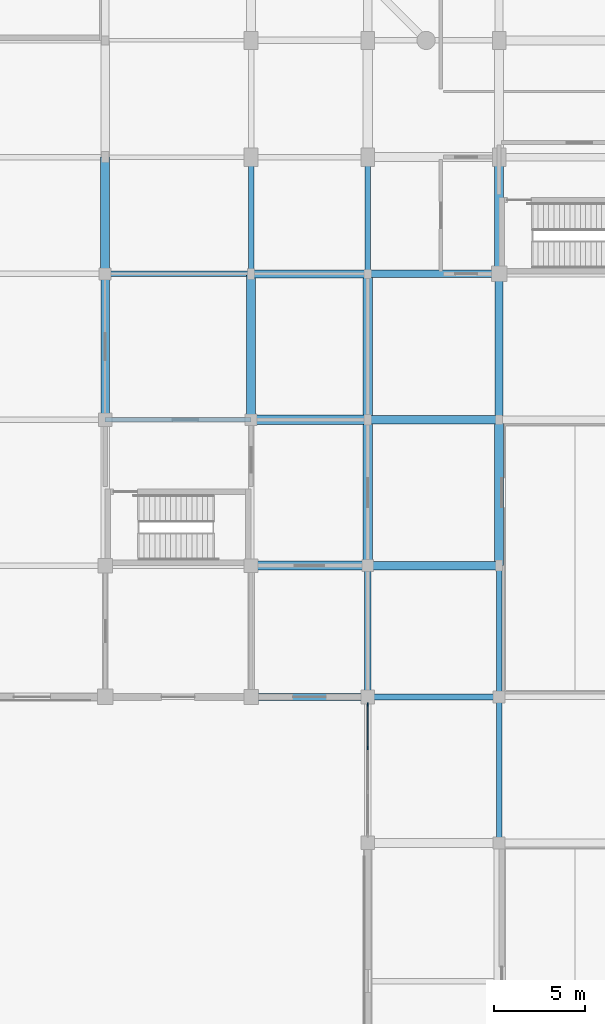
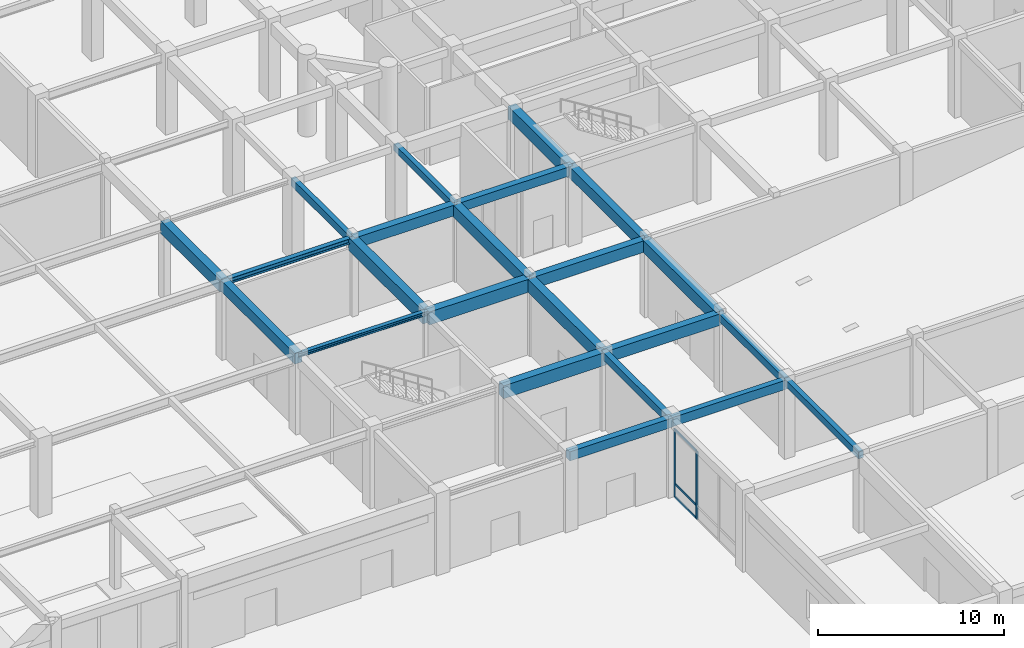
# One storey, part 12 of 40: 23 beams, 5 members, 1 element without a shape of its own.
"""IFC4 building model written with IfcOpenShell, lengths in metres."""

from ifc_helpers import new_model, si_unit, direction, frame, origin, origin_2d, place, context, subcontext, project, spatial, rectangle, i_section, extrude, material, material_profile, profile_set, type_object, element, aggregate, save


model = new_model("IFC4")

# Units and contexts
model_context = context("Model", 3, precision=1e-05, world=origin(), true_north=direction((0.0, 1.0)))
body_context = subcontext(model_context, "Body", "Model", "MODEL_VIEW")
ifc_project = project(units=[si_unit("LENGTHUNIT", "METRE"), si_unit("AREAUNIT", "SQUARE_METRE"), si_unit("VOLUMEUNIT", "CUBIC_METRE"), si_unit("PLANEANGLEUNIT", "RADIAN"), si_unit("MASSUNIT", "GRAM", prefix="KILO")], contexts=[model_context])

# Site, building, storey
site_placement = place(None, origin())
site = spatial("IfcSite", under=ifc_project, at=site_placement, CompositionType="ELEMENT")
building_placement = place(site_placement, origin())
building = spatial("IfcBuilding", under=site, at=building_placement, Name="Vellmiral Cinema and Media Centre", CompositionType="ELEMENT")
storey_placement = place(building_placement, origin())
storey = spatial("IfcBuildingStorey", under=building, at=storey_placement, Name="L00", CompositionType="ELEMENT", Elevation=0.0)

# Beams
ifc_material_1 = material(Name="Concrete C40/50", Category="concrete")
ifc_material_profile_1 = material_profile(ifc_material_1, rectangle(XDim=0.300048828125, YDim=0.449951171875, at=origin_2d()), Name="RC 300x450")
ifc_profile_set_1 = profile_set([ifc_material_profile_1], Name="Concrete C40/50")
beam_type_1 = type_object("IfcBeamType", Name="BM-RC-300x450", PredefinedType="BEAM", material=ifc_profile_set_1)
beam_1_placement = place(storey_placement, frame((116.800048828125, 59.199951171875, 4.85009765625), z_axis=(0.0, 1.0, 0.0), x_axis=(-1.0, 0.0, 0.0)))
element("IfcBeam", 1, at=beam_1_placement, inside=storey, type_object=beam_type_1, Name="Grid Beam L00-Y305", PredefinedType="BEAM", context=body_context, shape_type="SweptSolid", body=[
    extrude(rectangle(XDim=0.300048828125, YDim=0.449951171875, at=origin_2d()), origin(), (0.0, 0.0, 1.0), 6.400146484375),
])
beam_2_placement = place(storey_placement, frame((124.0, 28.0, 4.85009765625), z_axis=(0.0, 1.0, 0.0), x_axis=(-1.0, 0.0, 0.0)))
element("IfcBeam", 2, at=beam_2_placement, inside=storey, type_object=beam_type_1, Name="Grid Beam L00-Y313", PredefinedType="BEAM", context=body_context, shape_type="SweptSolid", body=[
    extrude(rectangle(XDim=0.300048828125, YDim=0.449951171875, at=origin_2d()), origin(), (0.0, 0.0, 1.0), 8.0),
])
ifc_material_2 = material(Name="Concrete C40/50", Category="concrete")
ifc_material_profile_2 = material_profile(ifc_material_2, rectangle(XDim=0.300048828125, YDim=0.5, at=origin_2d()), Name="RC 300x500")
ifc_profile_set_2 = profile_set([ifc_material_profile_2], Name="Concrete C40/50")
beam_type_2 = type_object("IfcBeamType", Name="BM-RC-300x500", PredefinedType="BEAM", material=ifc_profile_set_2)
beam_3_placement = place(storey_placement, frame((110.39990234375, 59.199951171875, 4.824951171875), z_axis=(0.0, 1.0, 0.0), x_axis=(-1.0, 0.0, 0.0)))
element("IfcBeam", 3, at=beam_3_placement, inside=storey, type_object=beam_type_2, Name="Grid Beam L00-Y293", PredefinedType="BEAM", context=body_context, shape_type="SweptSolid", body=[
    extrude(rectangle(XDim=0.300048828125, YDim=0.5, at=origin_2d()), origin(), (0.0, 0.0, 1.0), 6.400146484375),
])
beam_4_placement = place(storey_placement, frame((124.0, 36.0, 4.824951171875), z_axis=(0.0, 1.0, 0.0), x_axis=(-1.0, 0.0, 0.0)))
element("IfcBeam", 4, at=beam_4_placement, inside=storey, type_object=beam_type_2, Name="Grid Beam L00-Y314", PredefinedType="BEAM", context=body_context, shape_type="SweptSolid", body=[
    extrude(rectangle(XDim=0.300048828125, YDim=0.5, at=origin_2d()), origin(), (0.0, 0.0, 1.0), 7.199951171875),
])
ifc_material_3 = material(Name="Concrete C40/50", Category="concrete")
ifc_material_profile_3 = material_profile(ifc_material_3, rectangle(XDim=0.35009765625, YDim=0.5, at=origin_2d()), Name="RC 350x500")
ifc_profile_set_3 = profile_set([ifc_material_profile_3], Name="Concrete C40/50")
beam_type_3 = type_object("IfcBeamType", Name="BM-RC-350x500", PredefinedType="BEAM", material=ifc_profile_set_3)
beam_5_placement = place(storey_placement, frame((116.800048828125, 36.0, 4.824951171875), z_axis=(0.0, 1.0, 0.0), x_axis=(-1.0, 0.0, 0.0)))
element("IfcBeam", 5, at=beam_5_placement, inside=storey, type_object=beam_type_3, Name="Grid Beam L00-Y302", PredefinedType="BEAM", context=body_context, shape_type="SweptSolid", body=[
    extrude(rectangle(XDim=0.35009765625, YDim=0.5, at=origin_2d()), origin(), (0.0, 0.0, 1.0), 7.199951171875),
])
ifc_material_4 = material(Name="Concrete C40/50", Category="concrete")
ifc_material_profile_4 = material_profile(ifc_material_4, rectangle(XDim=0.35009765625, YDim=0.60009765625, at=origin_2d()), Name="RC 350x600")
ifc_profile_set_4 = profile_set([ifc_material_profile_4], Name="Concrete C40/50")
beam_type_4 = type_object("IfcBeamType", Name="BM-RC-350x600", PredefinedType="BEAM", material=ifc_profile_set_4)
beam_6_placement = place(storey_placement, frame((116.800048828125, 36.0, 4.77490234375), z_axis=(1.0, 0.0, 0.0), x_axis=(0.0, 1.0, 0.0)))
element("IfcBeam", 6, at=beam_6_placement, inside=storey, type_object=beam_type_4, Name="Grid Beam L00-X036", PredefinedType="BEAM", context=body_context, shape_type="SweptSolid", body=[
    extrude(rectangle(XDim=0.35009765625, YDim=0.60009765625, at=origin_2d()), origin(), (0.0, 0.0, 1.0), 7.199951171875),
])
ifc_material_5 = material(Name="Concrete C40/50", Category="concrete")
ifc_material_profile_5 = material_profile(ifc_material_5, rectangle(XDim=0.39990234375, YDim=0.60009765625, at=origin_2d()), Name="RC 400x600")
ifc_profile_set_5 = profile_set([ifc_material_profile_5], Name="Concrete C40/50")
beam_type_5 = type_object("IfcBeamType", Name="BM-RC-400x600", PredefinedType="BEAM", material=ifc_profile_set_5)
beam_7_placement = place(storey_placement, frame((116.800048828125, 59.199951171875, 4.77490234375), z_axis=(1.0, 0.0, 0.0), x_axis=(0.0, 1.0, 0.0)))
element("IfcBeam", 7, at=beam_7_placement, inside=storey, type_object=beam_type_5, Name="Grid Beam L00-X079", PredefinedType="BEAM", context=body_context, shape_type="SweptSolid", body=[
    extrude(rectangle(XDim=0.39990234375, YDim=0.60009765625, at=origin_2d()), origin(), (0.0, 0.0, 1.0), 7.199951171875),
])
ifc_material_6 = material(Name="Concrete C40/50", Category="concrete")
ifc_material_profile_6 = material_profile(ifc_material_6, rectangle(XDim=0.449951171875, YDim=0.699951171875, at=origin_2d()), Name="RC 450x700")
ifc_profile_set_6 = profile_set([ifc_material_profile_6], Name="Concrete C40/50")
beam_type_6 = type_object("IfcBeamType", Name="BM-RC-450x700", PredefinedType="BEAM", material=ifc_profile_set_6)
beam_8_placement = place(storey_placement, frame((110.39990234375, 59.199951171875, 4.72509765625), z_axis=(1.0, 0.0, 0.0), x_axis=(0.0, 1.0, 0.0)))
element("IfcBeam", 8, at=beam_8_placement, inside=storey, type_object=beam_type_6, Name="Grid Beam L00-X078", PredefinedType="BEAM", context=body_context, shape_type="SweptSolid", body=[
    extrude(rectangle(XDim=0.449951171875, YDim=0.699951171875, at=origin_2d()), origin(), (0.0, 0.0, 1.0), 6.400146484375),
])
beam_9_placement = place(storey_placement, frame((102.39990234375, 51.199951171875, 4.72509765625), z_axis=(0.0, 1.0, 0.0), x_axis=(-1.0, 0.0, 0.0)))
element("IfcBeam", 9, at=beam_9_placement, inside=storey, type_object=beam_type_6, Name="Grid Beam L00-Y284", PredefinedType="BEAM", context=body_context, shape_type="SweptSolid", body=[
    extrude(rectangle(XDim=0.449951171875, YDim=0.699951171875, at=origin_2d()), origin(), (0.0, 0.0, 1.0), 8.0),
])
ifc_material_7 = material(Name="Concrete C40/50", Category="concrete")
ifc_material_profile_7 = material_profile(ifc_material_7, rectangle(XDim=0.449951171875, YDim=0.75, at=origin_2d()), Name="RC 450x750")
ifc_profile_set_7 = profile_set([ifc_material_profile_7], Name="Concrete C40/50")
beam_type_7 = type_object("IfcBeamType", Name="BM-RC-450x750", PredefinedType="BEAM", material=ifc_profile_set_7)
for number, where, z_axis, x_axis, name in (
    (10, (116.800048828125, 43.199951171875, 4.699951171875), (1.0, 0.0, 0.0), (0.0, 1.0, 0.0), "Grid Beam L00-X054"),
    (11, (116.800048828125, 51.199951171875, 4.699951171875), (1.0, 0.0, 0.0), (0.0, 1.0, 0.0), "Grid Beam L00-X065"),
):
    element("IfcBeam", number, at=place(storey_placement, frame(where, z_axis=z_axis, x_axis=x_axis)), inside=storey, type_object=beam_type_7, Name=name, PredefinedType="BEAM", context=body_context, shape_type="SweptSolid", body=[
        extrude(rectangle(XDim=0.449951171875, YDim=0.75, at=origin_2d()), origin(), (0.0, 0.0, 1.0), 7.199951171875),
    ])
beam_10_placement = place(storey_placement, frame((124.0, 51.199951171875, 4.699951171875), z_axis=(0.0, 1.0, 0.0), x_axis=(-1.0, 0.0, 0.0)))
element("IfcBeam", 12, at=beam_10_placement, inside=storey, type_object=beam_type_7, Name="Grid Beam L00-Y316", PredefinedType="BEAM", context=body_context, shape_type="SweptSolid", body=[
    extrude(rectangle(XDim=0.449951171875, YDim=0.75, at=origin_2d()), origin(), (0.0, 0.0, 1.0), 8.0),
])
ifc_material_8 = material(Name="Concrete C40/50", Category="concrete")
ifc_material_profile_8 = material_profile(ifc_material_8, rectangle(XDim=0.5, YDim=0.800048828125, at=origin_2d()), Name="RC 500x800")
ifc_profile_set_8 = profile_set([ifc_material_profile_8], Name="Concrete C40/50")
beam_type_8 = type_object("IfcBeamType", Name="BM-RC-500x800", PredefinedType="BEAM", material=ifc_profile_set_8)
beam_11_placement = place(storey_placement, frame((102.39990234375, 59.199951171875, 4.675048828125), z_axis=(0.0, 1.0, 0.0), x_axis=(-1.0, 0.0, 0.0)))
element("IfcBeam", 13, at=beam_11_placement, inside=storey, type_object=beam_type_8, Name="Grid Beam L00-Y285", PredefinedType="BEAM", context=body_context, shape_type="SweptSolid", body=[
    extrude(rectangle(XDim=0.5, YDim=0.800048828125, at=origin_2d()), origin(), (0.0, 0.0, 1.0), 6.400146484375),
])
for number, where, z_axis, x_axis, name in (
    (14, (116.800048828125, 51.199951171875, 4.675048828125), (0.0, 1.0, 0.0), (-1.0, 0.0, 0.0), "Grid Beam L00-Y304"),
    (15, (124.0, 43.199951171875, 4.675048828125), (0.0, 1.0, 0.0), (-1.0, 0.0, 0.0), "Grid Beam L00-Y315"),
):
    element("IfcBeam", number, at=place(storey_placement, frame(where, z_axis=z_axis, x_axis=x_axis)), inside=storey, type_object=beam_type_8, Name=name, PredefinedType="BEAM", context=body_context, shape_type="SweptSolid", body=[
        extrude(rectangle(XDim=0.5, YDim=0.800048828125, at=origin_2d()), origin(), (0.0, 0.0, 1.0), 8.0),
    ])
ifc_material_9 = material(Name="Concrete C40/50", Category="concrete")
ifc_material_profile_9 = material_profile(ifc_material_9, rectangle(XDim=0.5, YDim=0.85009765625, at=origin_2d()), Name="RC 500x850")
ifc_profile_set_9 = profile_set([ifc_material_profile_9], Name="Concrete C40/50")
beam_type_9 = type_object("IfcBeamType", Name="BM-RC-500x850", PredefinedType="BEAM", material=ifc_profile_set_9)
for number, where, z_axis, x_axis, name in (
    (16, (110.39990234375, 43.199951171875, 4.64990234375), (1.0, 0.0, 0.0), (0.0, 1.0, 0.0), "Grid Beam L00-X053"),
    (17, (110.39990234375, 51.199951171875, 4.64990234375), (1.0, 0.0, 0.0), (0.0, 1.0, 0.0), "Grid Beam L00-X064"),
):
    element("IfcBeam", number, at=place(storey_placement, frame(where, z_axis=z_axis, x_axis=x_axis)), inside=storey, type_object=beam_type_9, Name=name, PredefinedType="BEAM", context=body_context, shape_type="SweptSolid", body=[
        extrude(rectangle(XDim=0.5, YDim=0.85009765625, at=origin_2d()), origin(), (0.0, 0.0, 1.0), 6.400146484375),
    ])
for number, where, z_axis, x_axis, name in (
    (18, (110.39990234375, 51.199951171875, 4.64990234375), (0.0, 1.0, 0.0), (-1.0, 0.0, 0.0), "Grid Beam L00-Y292"),
    (19, (116.800048828125, 43.199951171875, 4.64990234375), (0.0, 1.0, 0.0), (-1.0, 0.0, 0.0), "Grid Beam L00-Y303"),
):
    element("IfcBeam", number, at=place(storey_placement, frame(where, z_axis=z_axis, x_axis=x_axis)), inside=storey, type_object=beam_type_9, Name=name, PredefinedType="BEAM", context=body_context, shape_type="SweptSolid", body=[
        extrude(rectangle(XDim=0.5, YDim=0.85009765625, at=origin_2d()), origin(), (0.0, 0.0, 1.0), 8.0),
    ])
beam_12_placement = place(storey_placement, frame((124.0, 59.199951171875, 4.64990234375), z_axis=(0.0, 1.0, 0.0), x_axis=(-1.0, 0.0, 0.0)))
element("IfcBeam", 20, at=beam_12_placement, inside=storey, type_object=beam_type_9, Name="Grid Beam L00-Y317", PredefinedType="BEAM", context=body_context, shape_type="SweptSolid", body=[
    extrude(rectangle(XDim=0.5, YDim=0.85009765625, at=origin_2d()), origin(), (0.0, 0.0, 1.0), 6.400146484375),
])

# Curtain wall, members
ifc_material_10 = material(Name="Thermally Broken Aluminium and Triple Glazing", Category="aluminium")
curtain_wall_type = type_object("IfcCurtainWallType", Name="CW-POD-GALLERY", PredefinedType="USERDEFINED", material=ifc_material_10)
curtain_wall_placement = place(storey_placement, origin())
curtain_wall = element("IfcCurtainWall", 21, at=curtain_wall_placement, inside=storey, type_object=curtain_wall_type, Name="Curtain Wall L00-B019", ObjectType="STICK CURTAIN WALL", PredefinedType="USERDEFINED")
ifc_material_11 = material(Name="Thermally Broken Anodised Aluminium", Category="aluminium")
ifc_material_profile_10 = material_profile(ifc_material_11, rectangle(XDim=0.070068359375, YDim=0.179931640625, at=origin_2d()), Name="MULL 70x180")
ifc_profile_set_10 = profile_set([ifc_material_profile_10], Name="Thermally Broken Anodised Aluminium")
member_type_1 = type_object("IfcMemberType", Name="CWM-70x180", PredefinedType="MULLION", material=ifc_profile_set_10)
member_1_placement = place(storey_placement, frame((116.800048828125, 35.590087890625, 0.0), z_axis=(0.0, 0.0, 1.0), x_axis=(1.0, 0.0, 0.0)))
member_1 = element("IfcMember", 22, at=member_1_placement, type_object=member_type_1, Name="CW-04 mullion 1", PredefinedType="MULLION", context=body_context, shape_type="SweptSolid", body=[
    extrude(rectangle(XDim=0.070068359375, YDim=0.179931640625, at=origin_2d()), origin(), (0.0, 0.0, 1.0), 4.47998046875),
])
member_2_placement = place(storey_placement, frame((116.800048828125, 33.208251953125, 0.0), z_axis=(0.0, 0.0, 1.0), x_axis=(1.0, 0.0, 0.0)))
member_2 = element("IfcMember", 23, at=member_2_placement, type_object=member_type_1, Name="CW-04 mullion 2", PredefinedType="MULLION", context=body_context, shape_type="SweptSolid", body=[
    extrude(rectangle(XDim=0.070068359375, YDim=0.179931640625, at=origin_2d()), origin(), (0.0, 0.0, 1.0), 4.47998046875),
])
ifc_material_12 = material(Name="Thermally Broken Anodised Aluminium", Category="aluminium")
ifc_material_profile_11 = material_profile(ifc_material_12, rectangle(XDim=0.070068359375, YDim=0.14990234375, at=origin_2d()), Name="MULL 70x150")
ifc_profile_set_11 = profile_set([ifc_material_profile_11], Name="Thermally Broken Anodised Aluminium")
member_type_2 = type_object("IfcMemberType", Name="CWT-70x150", PredefinedType="USERDEFINED", material=ifc_profile_set_11)
member_3_placement = place(storey_placement, frame((116.800048828125, 35.554931640625, 0.034912109375), z_axis=(0.0, -1.0, 0.0), x_axis=(1.0, 0.0, 0.0)))
member_3 = element("IfcMember", 24, at=member_3_placement, type_object=member_type_2, Name="CW-04 transom 1.1", ObjectType="TRANSOM", PredefinedType="USERDEFINED", context=body_context, shape_type="SweptSolid", body=[
    extrude(rectangle(XDim=0.070068359375, YDim=0.14990234375, at=origin_2d()), origin(), (0.0, 0.0, 1.0), 2.3115234375),
])
member_4_placement = place(storey_placement, frame((116.800048828125, 35.554931640625, 0.89990234375), z_axis=(0.0, -1.0, 0.0), x_axis=(1.0, 0.0, 0.0)))
member_4 = element("IfcMember", 25, at=member_4_placement, type_object=member_type_2, Name="CW-04 transom 1.2", ObjectType="TRANSOM", PredefinedType="USERDEFINED", context=body_context, shape_type="SweptSolid", body=[
    extrude(rectangle(XDim=0.070068359375, YDim=0.14990234375, at=origin_2d()), origin(), (0.0, 0.0, 1.0), 2.3115234375),
])
member_5_placement = place(storey_placement, frame((116.800048828125, 35.554931640625, 4.445068359375), z_axis=(0.0, -1.0, 0.0), x_axis=(1.0, 0.0, 0.0)))
member_5 = element("IfcMember", 26, at=member_5_placement, type_object=member_type_2, Name="CW-04 transom 1.3", ObjectType="TRANSOM", PredefinedType="USERDEFINED", context=body_context, shape_type="SweptSolid", body=[
    extrude(rectangle(XDim=0.070068359375, YDim=0.14990234375, at=origin_2d()), origin(), (0.0, 0.0, 1.0), 2.3115234375),
])
aggregate(curtain_wall, [member_1, member_2, member_3, member_4, member_5])

# Beams
ifc_material_13 = material(Name="Steel S355", Category="steel")
ifc_material_profile_12 = material_profile(ifc_material_13, i_section(OverallWidth=0.300048828125, OverallDepth=0.35009765625, WebThickness=0.010009765625, FlangeThickness=0.017578125, FilletRadius=0.027099609375, at=origin_2d()), Name="HEA 360")
ifc_profile_set_12 = profile_set([ifc_material_profile_12], Name="Steel S355")
beam_type_10 = type_object("IfcBeamType", Name="SBM-HEA360", PredefinedType="BEAM", material=ifc_profile_set_12)
beam_13_placement = place(storey_placement, frame((102.39990234375, 59.199951171875, 4.89990234375), z_axis=(1.0, 0.0, 0.0), x_axis=(0.0, 1.0, 0.0)))
element("IfcBeam", 27, at=beam_13_placement, inside=storey, type_object=beam_type_10, Name="Grid Beam L00-X077", PredefinedType="BEAM", context=body_context, shape_type="SweptSolid", body=[
    extrude(i_section(OverallWidth=0.300048828125, OverallDepth=0.35009765625, WebThickness=0.010009765625, FlangeThickness=0.017578125, FilletRadius=0.027099609375, at=origin_2d()), origin(), (0.0, 0.0, 1.0), 8.0),
])
ifc_material_14 = material(Name="Steel S355", Category="steel")
ifc_material_profile_13 = material_profile(ifc_material_14, i_section(OverallWidth=0.260009765625, OverallDepth=0.260009765625, WebThickness=0.010009765625, FlangeThickness=0.017578125, FilletRadius=0.02392578125, at=origin_2d()), Name="HEB 260")
ifc_profile_set_13 = profile_set([ifc_material_profile_13], Name="Steel S355")
beam_type_11 = type_object("IfcBeamType", Name="SBM-HEB260", PredefinedType="BEAM", material=ifc_profile_set_13)
beam_14_placement = place(storey_placement, frame((102.39990234375, 51.199951171875, 4.945068359375), z_axis=(1.0, 0.0, 0.0), x_axis=(0.0, 1.0, 0.0)))
element("IfcBeam", 28, at=beam_14_placement, inside=storey, type_object=beam_type_11, Name="Grid Beam L00-X063", PredefinedType="BEAM", context=body_context, shape_type="SweptSolid", body=[
    extrude(i_section(OverallWidth=0.260009765625, OverallDepth=0.260009765625, WebThickness=0.010009765625, FlangeThickness=0.017578125, FilletRadius=0.02392578125, at=origin_2d()), origin(), (0.0, 0.0, 1.0), 8.0),
])
ifc_material_15 = material(Name="Concrete C40/50", Category="concrete")
ifc_material_profile_14 = material_profile(ifc_material_15, rectangle(XDim=0.39990234375, YDim=0.60009765625, at=origin_2d()), Name="RC 400x600")
ifc_profile_set_14 = profile_set([ifc_material_profile_14], Name="Concrete C40/50")
beam_type_12 = type_object("IfcBeamType", Name="SPD-RC-400x600", PredefinedType="SPANDREL", material=ifc_profile_set_14)
beam_15_placement = place(storey_placement, frame((110.39990234375, 36.0, 4.77490234375), z_axis=(1.0, 0.0, 0.0), x_axis=(0.0, 1.0, 0.0)))
element("IfcBeam", 29, at=beam_15_placement, inside=storey, type_object=beam_type_12, Name="Grid Beam L00-X035", PredefinedType="SPANDREL", context=body_context, shape_type="SweptSolid", body=[
    extrude(rectangle(XDim=0.39990234375, YDim=0.60009765625, at=origin_2d()), origin(), (0.0, 0.0, 1.0), 6.400146484375),
])

save(model, "model.ifc")
